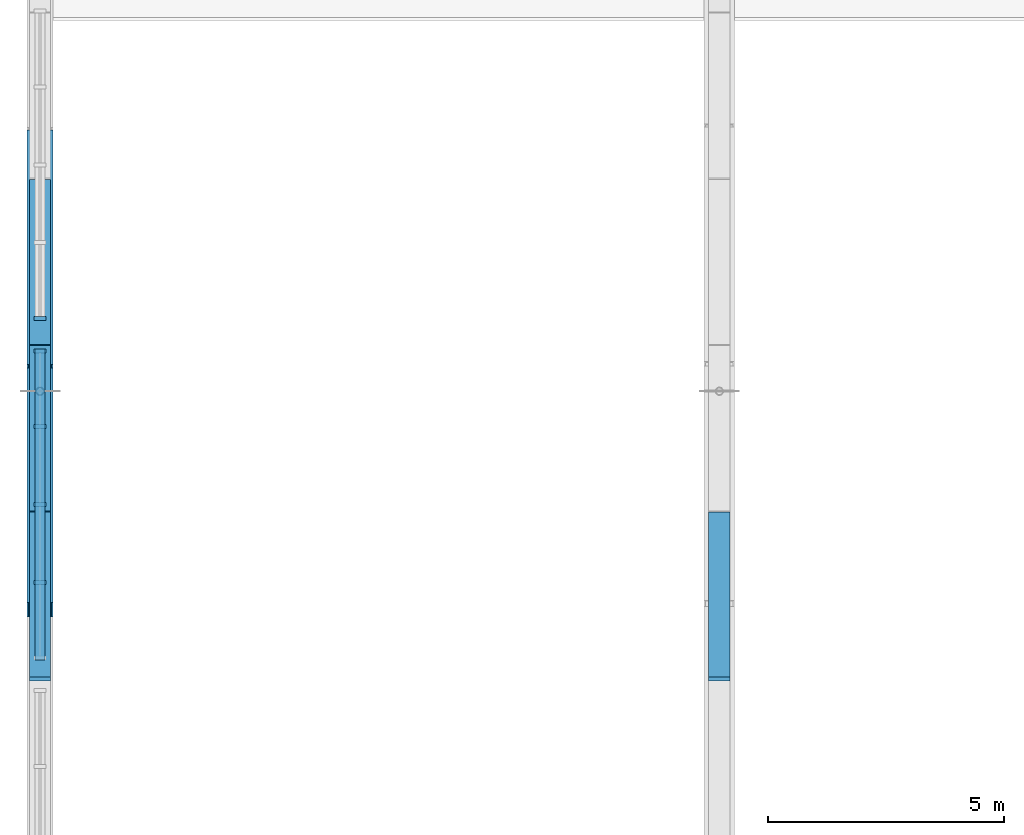
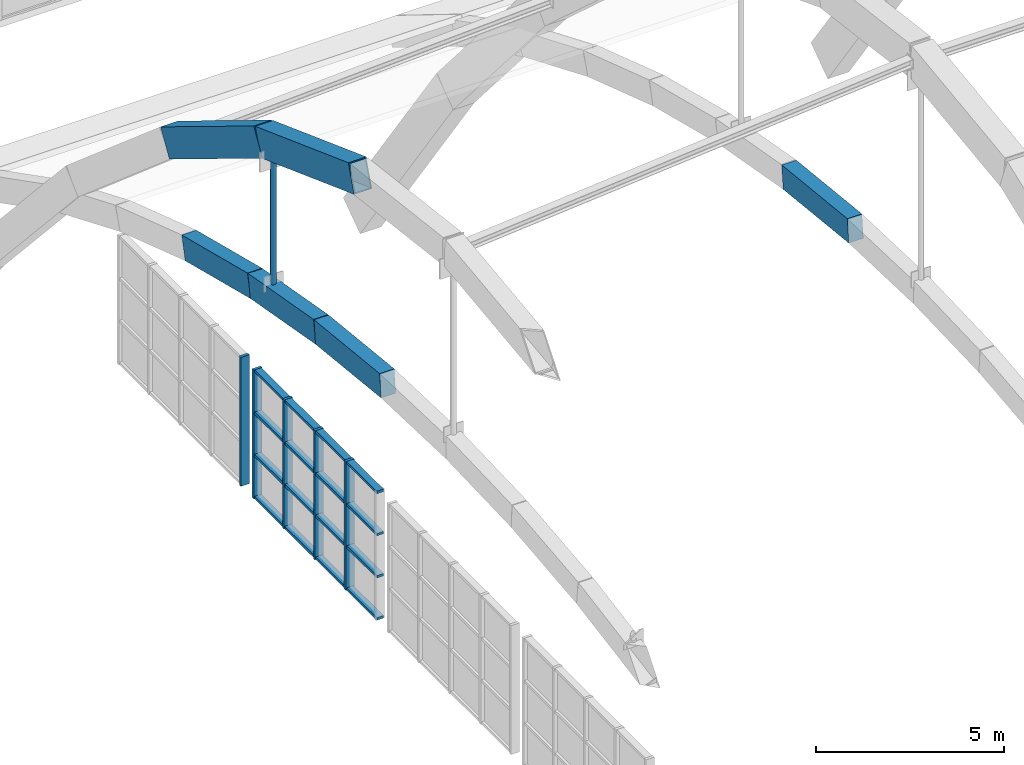
# One storey, part 11 of 64: 12 members, 4 beams, 2 elements without a shape of their own.
"""IFC4 building model written with IfcOpenShell, lengths in metres."""

import ifcopenshell
import ifcopenshell.guid

model = None  # the IFC model being written
_history = None  # IfcOwnerHistory: only IFC2X3 demands one
_inside = {}  # id of a spatial element -> (the spatial element, [elements in it])
_under = {}  # id of a project, library or spatial element -> (it, [spatial elements below it])
_declared = {}  # id of a project -> (the project, [libraries it declares])
_typed = {}  # id of a type object -> (the type object, [elements of that type])
_made_of = {}  # id of a material, layer set ... -> (it, [elements and type objects made of it])


def new_model(schema):
    """Start an empty IFC model of exactly this schema.

    Asked for "IFC4X3", IfcOpenShell would pick the latest addendum, in which some entities
    have other attributes; the version numbers below select the first issue.
    IFC2X3 requires an IfcOwnerHistory on every rooted entity: one is made here for all.
    """
    global model, _history
    if schema == "IFC4X3":
        model = ifcopenshell.file(schema_version=(4, 3, 0, 0))
    else:
        model = ifcopenshell.file(schema=schema)
    _inside.clear()
    _under.clear()
    _declared.clear()
    _typed.clear()
    _made_of.clear()
    _history = None
    if model.schema == "IFC2X3":
        org = make("IfcOrganization", Name="unknown")
        user = make(
            "IfcPersonAndOrganization",
            ThePerson=make("IfcPerson", FamilyName="unknown"),
            TheOrganization=org,
        )
        app = make(
            "IfcApplication",
            ApplicationDeveloper=org,
            Version="unknown",
            ApplicationFullName="unknown",
            ApplicationIdentifier="unknown",
        )
        _history = make(
            "IfcOwnerHistory",
            OwningUser=user,
            OwningApplication=app,
            ChangeAction="ADDED",
            CreationDate=0,
        )
    return model


def make(cls, **values):
    """One entity of the class cls with the attributes given. An attribute that is None is left unset."""
    return model.create_entity(
        cls, **{name: value for name, value in values.items() if value is not None}
    )


def rooted(cls, **values):
    """An entity with a GlobalId (a new one), such as an element, a storey or a relation."""
    return make(cls, GlobalId=ifcopenshell.guid.new(), OwnerHistory=_history, **values)


def si_unit(unit_type, name, prefix=None):
    """IfcSIUnit, for example si_unit("LENGTHUNIT", "METRE", prefix="MILLI")."""
    return make("IfcSIUnit", UnitType=unit_type, Prefix=prefix, Name=name)


def assignment(units):
    """IfcUnitAssignment: the units of a project."""
    return None if units is None else make("IfcUnitAssignment", Units=units)


def point(xyz):
    """IfcCartesianPoint."""
    return None if xyz is None else make("IfcCartesianPoint", Coordinates=xyz)


def direction(xyz):
    """IfcDirection."""
    return None if xyz is None else make("IfcDirection", DirectionRatios=xyz)


def frame(location, z_axis=None, x_axis=None):
    """IfcAxis2Placement3D, a coordinate frame: its origin and axes. An axis left out is left unset."""
    return make(
        "IfcAxis2Placement3D",
        Location=point(location),
        Axis=direction(z_axis),
        RefDirection=direction(x_axis),
    )


def frame_2d(location, x_axis=None):
    """IfcAxis2Placement2D, a coordinate frame in the plane: its origin and x axis."""
    return make(
        "IfcAxis2Placement2D", Location=point(location), RefDirection=direction(x_axis)
    )


def origin():
    """The frame at (0, 0, 0) with its axes left unset."""
    return frame((0.0, 0.0, 0.0))


def origin_2d():
    """The frame at (0, 0) in the plane with its x axis left unset."""
    return frame_2d((0.0, 0.0))


def place(relative_to, where):
    """IfcLocalPlacement: puts the frame where relative to a parent placement (None: the world)."""
    return make(
        "IfcLocalPlacement", PlacementRelTo=relative_to, RelativePlacement=where
    )


def context(
    kind, dimensions, precision=None, world=None, true_north=None, identifier=None
):
    """IfcGeometricRepresentationContext, for example the 3D "Model" context."""
    return make(
        "IfcGeometricRepresentationContext",
        ContextIdentifier=identifier,
        ContextType=kind,
        CoordinateSpaceDimension=dimensions,
        Precision=precision,
        WorldCoordinateSystem=world,
        TrueNorth=true_north,
    )


def subcontext(parent, identifier, kind, view, scale=None):
    """IfcGeometricRepresentationSubContext, for example "Body" below "Model"."""
    return make(
        "IfcGeometricRepresentationSubContext",
        ContextIdentifier=identifier,
        ContextType=kind,
        ParentContext=parent,
        TargetScale=scale,
        TargetView=view,
    )


def project(units=None, contexts=None):
    """IfcProject with its units and contexts."""
    return rooted(
        "IfcProject",
        Name="project",
        RepresentationContexts=contexts,
        UnitsInContext=assignment(units),
    )


def spatial(cls, under=None, at=None, **own):
    """A site, building, storey or space (cls), placed at a placement, below another one or the project."""
    s = rooted(cls, ObjectPlacement=at, **own)
    if under is not None:
        _under.setdefault(under.id(), (under, []))[1].append(s)
    return s


def profile(cls, at=None, kind="AREA", **sizes):
    """A parametric profile (cls). Its sizes go by their IFC names, for example OverallWidth=200.0."""
    return make(cls, ProfileType=kind, Position=at, **sizes)


def rectangle(**sizes):
    """IfcRectangleProfileDef."""
    return profile("IfcRectangleProfileDef", **sizes)


def hollow_rectangle(**sizes):
    """IfcRectangleHollowProfileDef."""
    return profile("IfcRectangleHollowProfileDef", **sizes)


def hollow_circle(**sizes):
    """IfcCircleHollowProfileDef."""
    return profile("IfcCircleHollowProfileDef", **sizes)


def extrude(swept, where, along, depth):
    """IfcExtrudedAreaSolid: the profile swept, set in the frame where, extruded along a direction by depth."""
    return make(
        "IfcExtrudedAreaSolid",
        SweptArea=swept,
        Position=where,
        ExtrudedDirection=direction(along),
        Depth=depth,
    )


def shape(context_of_items, identifier, shape_type, items):
    """IfcShapeRepresentation: the items that make up one representation, for example the "Body"."""
    return make(
        "IfcShapeRepresentation",
        ContextOfItems=context_of_items,
        RepresentationIdentifier=identifier,
        RepresentationType=shape_type,
        Items=items,
    )


def material(Name=None, Category=None):
    """IfcMaterial."""
    return make("IfcMaterial", Name=Name, Category=Category)


def material_profile(
    of_material, cross_section, Name=None, Category=None, Priority=None
):
    """IfcMaterialProfile: a cross section and its material."""
    return make(
        "IfcMaterialProfile",
        Name=Name,
        Material=of_material,
        Profile=cross_section,
        Priority=Priority,
        Category=Category,
    )


def profile_set(profiles, Name=None, composite=None):
    """IfcMaterialProfileSet."""
    return make(
        "IfcMaterialProfileSet",
        Name=Name,
        MaterialProfiles=profiles,
        CompositeProfile=composite,
    )


def made_of(thing, what):
    """Note that an element or type object is made of a material, layer set ...; save() writes the relation."""
    if what is not None:
        _made_of.setdefault(what.id(), (what, []))[1].append(thing)
    return thing


def type_object(cls, material=None, **own):
    """A type object (cls), such as IfcWallType, which elements share."""
    return made_of(rooted(cls, **own), material)


def element(
    cls,
    number,
    at=None,
    inside=None,
    cuts=None,
    type_object=None,
    material=None,
    context=None,
    identifier="Body",
    shape_type=None,
    held_by="IfcProductDefinitionShape",
    body=None,
    shapes=None,
    **own,
):
    """One element of the class cls, such as IfcWall. Its Tag is "e" and its number.

    at: its placement. inside: the storey or other place that contains it. cuts: it is an
    opening in that element (IfcRelVoidsElement). A single representation is given by context,
    identifier, shape_type and body (its items); several are given by shapes. held_by: the class
    of the entity that holds the representations. save() writes the other relations.
    """
    e = rooted(cls, Tag="e%d" % number, ObjectPlacement=at, **own)
    if body is not None:
        shapes = [shape(context, identifier, shape_type, body)]
    if shapes is not None:
        e.Representation = make(held_by, Representations=shapes)
    if inside is not None:
        _inside.setdefault(inside.id(), (inside, []))[1].append(e)
    if cuts is not None:
        rooted(
            "IfcRelVoidsElement", RelatingBuildingElement=cuts, RelatedOpeningElement=e
        )
    if type_object is not None:
        _typed.setdefault(type_object.id(), (type_object, []))[1].append(e)
    return made_of(e, material)


def aggregate(whole, parts):
    """IfcRelAggregates: a whole, such as a stair, and the parts it consists of."""
    return rooted("IfcRelAggregates", RelatingObject=whole, RelatedObjects=parts)


def save(model, path):
    """Write the relations noted so far, then the file.

    IfcRelAggregates (storeys below a building ...), IfcRelContainedInSpatialStructure (elements
    in a storey), IfcRelDefinesByType, IfcRelAssociatesMaterial and IfcRelDeclares: one each for
    every whole, place, type object, material and project.
    """
    for whole, parts in _under.values():
        aggregate(whole, parts)
    for where, things in _inside.values():
        rooted(
            "IfcRelContainedInSpatialStructure",
            RelatedElements=things,
            RelatingStructure=where,
        )
    for kind, things in _typed.values():
        rooted("IfcRelDefinesByType", RelatedObjects=things, RelatingType=kind)
    for what, things in _made_of.values():
        rooted("IfcRelAssociatesMaterial", RelatedObjects=things, RelatingMaterial=what)
    for by, libraries in _declared.values():
        rooted("IfcRelDeclares", RelatingContext=by, RelatedDefinitions=libraries)
    model.write(path)


model = new_model("IFC4")

# Units and contexts
model_context = context("Model", 3, precision=1e-05, world=origin(), true_north=direction((0.0, 1.0)))
body_context = subcontext(model_context, "Body", "Model", "MODEL_VIEW")
ifc_project = project(units=[si_unit("LENGTHUNIT", "METRE"), si_unit("AREAUNIT", "SQUARE_METRE"), si_unit("VOLUMEUNIT", "CUBIC_METRE"), si_unit("PLANEANGLEUNIT", "RADIAN"), si_unit("MASSUNIT", "GRAM", prefix="KILO")], contexts=[model_context])

# Site, building, storey
site_placement = place(None, origin())
site = spatial("IfcSite", under=ifc_project, at=site_placement, CompositionType="ELEMENT")
building_placement = place(site_placement, origin())
building = spatial("IfcBuilding", under=site, at=building_placement, Name="Leyfeld Transit Interchange", CompositionType="ELEMENT")
storey_placement = place(building_placement, frame((0.0, 0.0, 9.60009765625)))
storey = spatial("IfcBuildingStorey", under=building, at=storey_placement, Name="L02", CompositionType="ELEMENT", Elevation=9.60009765625)

# Beams
ifc_material_1 = material(Name="Concrete C40/50", Category="concrete")
ifc_material_profile_1 = material_profile(ifc_material_1, rectangle(XDim=0.449951171875, YDim=0.75, at=origin_2d()), Name="RC 750x450 RIB")
ifc_profile_set_1 = profile_set([ifc_material_profile_1], Name="Concrete C40/50")
beam_type = type_object("IfcBeamType", Name="BM-RIB-750x450", PredefinedType="USERDEFINED", material=ifc_profile_set_1)
beam_1_placement = place(storey_placement, frame((0.0, 35.89990234375, 7.317626953125), z_axis=(0.0, 0.99446241795, -0.105092812723), x_axis=(-1.0, 0.0, 0.0)))
element("IfcBeam", 1, at=beam_1_placement, inside=storey, type_object=beam_type, Name="Concourse Vault Rib A1 Seg 10", ObjectType="ARCH_RIB", PredefinedType="USERDEFINED", context=body_context, shape_type="SweptSolid", body=[
    extrude(rectangle(XDim=0.449951171875, YDim=0.75, at=origin_2d()), origin(), (0.0, 0.0, 1.0), 3.51953125),
])
beam_2_placement = place(storey_placement, frame((0.0, 39.39990234375, 6.94775390625), z_axis=(0.0, 0.984546197367, -0.175125056033), x_axis=(-1.0, 0.0, 0.0)))
element("IfcBeam", 2, at=beam_2_placement, inside=storey, type_object=beam_type, Name="Concourse Vault Rib A1 Seg 11", ObjectType="ARCH_RIB", PredefinedType="USERDEFINED", context=body_context, shape_type="SweptSolid", body=[
    extrude(rectangle(XDim=0.449951171875, YDim=0.75, at=origin_2d()), origin(), (0.0, 0.0, 1.0), 3.554931640625),
])
beam_3_placement = place(storey_placement, frame((0.0, 42.89990234375, 6.3251953125), z_axis=(0.0, 0.969486598247, -0.245144316312), x_axis=(-1.0, 0.0, 0.0)))
element("IfcBeam", 3, at=beam_3_placement, inside=storey, type_object=beam_type, Name="Concourse Vault Rib A1 Seg 12", ObjectType="ARCH_RIB", PredefinedType="USERDEFINED", context=body_context, shape_type="SweptSolid", body=[
    extrude(rectangle(XDim=0.449951171875, YDim=0.75, at=origin_2d()), origin(), (0.0, 0.0, 1.0), 3.610107421875),
])
beam_4_placement = place(storey_placement, frame((14.39990234375, 35.89990234375, 7.317626953125), z_axis=(0.0, 0.99446241795, -0.105092812723), x_axis=(-1.0, 0.0, 0.0)))
element("IfcBeam", 4, at=beam_4_placement, inside=storey, type_object=beam_type, Name="Concourse Vault Rib A2 Seg 10", ObjectType="ARCH_RIB", PredefinedType="USERDEFINED", context=body_context, shape_type="SweptSolid", body=[
    extrude(rectangle(XDim=0.449951171875, YDim=0.75, at=origin_2d()), origin(), (0.0, 0.0, 1.0), 3.51953125),
])

# Curtain wall, members
ifc_material_2 = material(Name="Anodised aluminium EN AW-6060 T66", Category="aluminium")
curtain_wall_type = type_object("IfcCurtainWallType", Name="CW-SYS-GAB-7200", PredefinedType="NOTDEFINED", material=ifc_material_2)
curtain_wall_1_placement = place(storey_placement, origin())
curtain_wall_1 = element("IfcCurtainWall", 5, at=curtain_wall_1_placement, inside=storey, type_object=curtain_wall_type, Name="Curtain Wall CW-L02-GABW-04", PredefinedType="NOTDEFINED")
ifc_material_profile_2 = material_profile(ifc_material_2, rectangle(XDim=0.0849609375, YDim=0.260009765625, at=origin_2d()), Name="CW-M 85x260")
ifc_profile_set_2 = profile_set([ifc_material_profile_2], Name="Anodised aluminium EN AW-6060 T66")
member_type_1 = type_object("IfcMemberType", Name="CW-MUL-220x80", PredefinedType="MULLION", material=ifc_profile_set_2)
member_1_placement = place(storey_placement, frame((0.0, 37.949951171875, -0.60009765625), z_axis=(0.0, 0.0, 1.0), x_axis=(0.0, 1.0, 0.0)))
member_1 = element("IfcMember", 6, at=member_1_placement, type_object=member_type_1, Name="Curtain Mullion CW-L02-GABW-04-M02", PredefinedType="MULLION", context=body_context, shape_type="SweptSolid", body=[
    extrude(rectangle(XDim=0.0849609375, YDim=0.260009765625, at=origin_2d()), origin(), (0.0, 0.0, 1.0), 4.199951171875),
])
member_2_placement = place(storey_placement, frame((0.0, 39.60009765625, -0.60009765625), z_axis=(0.0, 0.0, 1.0), x_axis=(0.0, 1.0, 0.0)))
member_2 = element("IfcMember", 7, at=member_2_placement, type_object=member_type_1, Name="Curtain Mullion CW-L02-GABW-04-M03", PredefinedType="MULLION", context=body_context, shape_type="SweptSolid", body=[
    extrude(rectangle(XDim=0.0849609375, YDim=0.260009765625, at=origin_2d()), origin(), (0.0, 0.0, 1.0), 4.199951171875),
])
member_3_placement = place(storey_placement, frame((0.0, 41.25, -0.60009765625), z_axis=(0.0, 0.0, 1.0), x_axis=(0.0, 1.0, 0.0)))
member_3 = element("IfcMember", 8, at=member_3_placement, type_object=member_type_1, Name="Curtain Mullion CW-L02-GABW-04-M04", PredefinedType="MULLION", context=body_context, shape_type="SweptSolid", body=[
    extrude(rectangle(XDim=0.0849609375, YDim=0.260009765625, at=origin_2d()), origin(), (0.0, 0.0, 1.0), 4.199951171875),
])
member_4_placement = place(storey_placement, frame((0.0, 42.857421875, -0.60009765625), z_axis=(0.0, 0.0, 1.0), x_axis=(0.0, 1.0, 0.0)))
member_4 = element("IfcMember", 9, at=member_4_placement, type_object=member_type_1, Name="Curtain Mullion CW-L02-GABW-04-M05", PredefinedType="MULLION", context=body_context, shape_type="SweptSolid", body=[
    extrude(rectangle(XDim=0.0849609375, YDim=0.260009765625, at=origin_2d()), origin(), (0.0, 0.0, 1.0), 4.199951171875),
])

# Curtain wall, member
curtain_wall_2_placement = place(storey_placement, origin())
curtain_wall_2 = element("IfcCurtainWall", 10, at=curtain_wall_2_placement, inside=storey, type_object=curtain_wall_type, Name="Curtain Wall CW-L02-GABW-05", PredefinedType="NOTDEFINED")
member_5_placement = place(storey_placement, frame((0.0, 43.54248046875, -0.60009765625), z_axis=(0.0, 0.0, 1.0), x_axis=(0.0, 1.0, 0.0)))
member_5 = element("IfcMember", 11, at=member_5_placement, type_object=member_type_1, Name="Curtain Mullion CW-L02-GABW-05-M01", PredefinedType="MULLION", context=body_context, shape_type="SweptSolid", body=[
    extrude(rectangle(XDim=0.0849609375, YDim=0.260009765625, at=origin_2d()), origin(), (0.0, 0.0, 1.0), 4.199951171875),
])
aggregate(curtain_wall_2, [member_5])

# Member
ifc_material_profile_3 = material_profile(ifc_material_2, rectangle(XDim=0.2099609375, YDim=0.0849609375, at=origin_2d()), Name="CW-TRN-200x80")
ifc_profile_set_3 = profile_set([ifc_material_profile_3], Name="Anodised aluminium EN AW-6060 T66")
member_type_2 = type_object("IfcMemberType", Name="CW-TRN-200x80", PredefinedType="USERDEFINED", material=ifc_profile_set_3)
member_6_placement = place(storey_placement, frame((0.0, 36.300048828125, -0.5576171875), z_axis=(0.0, 1.0, 0.0), x_axis=(-1.0, 0.0, 0.0)))
member_6 = element("IfcMember", 12, at=member_6_placement, type_object=member_type_2, Name="Curtain Transom CW-L02-GABW-04-T01", ObjectType="TRANSOM", PredefinedType="USERDEFINED", context=body_context, shape_type="SweptSolid", body=[
    extrude(rectangle(XDim=0.2099609375, YDim=0.0849609375, at=origin_2d()), origin(), (0.0, 0.0, 1.0), 6.599853515625),
])

member_7_placement = place(storey_placement, frame((0.0, 36.300048828125, 0.814208984375), z_axis=(0.0, 1.0, 0.0), x_axis=(-1.0, 0.0, 0.0)))
member_7 = element("IfcMember", 13, at=member_7_placement, type_object=member_type_2, Name="Curtain Transom CW-L02-GABW-04-T02", ObjectType="TRANSOM", PredefinedType="USERDEFINED", context=body_context, shape_type="SweptSolid", body=[
    extrude(rectangle(XDim=0.2099609375, YDim=0.0849609375, at=origin_2d()), origin(), (0.0, 0.0, 1.0), 6.599853515625),
])

member_8_placement = place(storey_placement, frame((0.0, 36.300048828125, 2.185791015625), z_axis=(0.0, 1.0, 0.0), x_axis=(-1.0, 0.0, 0.0)))
member_8 = element("IfcMember", 14, at=member_8_placement, type_object=member_type_2, Name="Curtain Transom CW-L02-GABW-04-T03", ObjectType="TRANSOM", PredefinedType="USERDEFINED", context=body_context, shape_type="SweptSolid", body=[
    extrude(rectangle(XDim=0.2099609375, YDim=0.0849609375, at=origin_2d()), origin(), (0.0, 0.0, 1.0), 6.599853515625),
])

member_9_placement = place(storey_placement, frame((0.0, 36.300048828125, 3.557373046875), z_axis=(0.0, 1.0, 0.0), x_axis=(-1.0, 0.0, 0.0)))
member_9 = element("IfcMember", 15, at=member_9_placement, type_object=member_type_2, Name="Curtain Transom CW-L02-GABW-04-T04", ObjectType="TRANSOM", PredefinedType="USERDEFINED", context=body_context, shape_type="SweptSolid", body=[
    extrude(rectangle(XDim=0.2099609375, YDim=0.0849609375, at=origin_2d()), origin(), (0.0, 0.0, 1.0), 6.599853515625),
])

aggregate(curtain_wall_1, [member_1, member_2, member_3, member_4, member_6, member_7, member_8, member_9])

# Members
ifc_material_3 = material(Name="Steel S355J2 - Ochre Arch", Category="steel")
ifc_material_profile_4 = material_profile(ifc_material_3, hollow_rectangle(XDim=0.550048828125, YDim=0.89990234375, WallThickness=0.031982421875, at=origin_2d()), Name="RHS 900x550x32")
ifc_profile_set_4 = profile_set([ifc_material_profile_4], Name="Steel S355J2 - Ochre Arch")
member_type_3 = type_object("IfcMemberType", Name="MEM-ARCH-900", PredefinedType="USERDEFINED", material=ifc_profile_set_4)
member_10_placement = place(storey_placement, frame((0.0, 37.36669921875, 13.191650390625), z_axis=(0.0, 0.938638972775, -0.344901259475), x_axis=(-1.0, 0.0, 0.0)))
element("IfcMember", 16, at=member_10_placement, inside=storey, type_object=member_type_3, Name="Primary Steel Arch GP-W Seg 8", ObjectType="ARCH_SEGMENT", PredefinedType="USERDEFINED", context=body_context, shape_type="SweptSolid", body=[
    extrude(hollow_rectangle(XDim=0.550048828125, YDim=0.89990234375, WallThickness=0.031982421875, at=origin_2d()), origin(), (0.0, 0.0, 1.0), 5.291259765625),
])
member_11_placement = place(storey_placement, frame((0.0, 42.333251953125, 11.36669921875), z_axis=(0.0, 0.852786153257, -0.522260257738), x_axis=(-1.0, 0.0, 0.0)))
element("IfcMember", 17, at=member_11_placement, inside=storey, type_object=member_type_3, Name="Primary Steel Arch GP-W Seg 9", ObjectType="ARCH_SEGMENT", PredefinedType="USERDEFINED", context=body_context, shape_type="SweptSolid", body=[
    extrude(hollow_rectangle(XDim=0.550048828125, YDim=0.89990234375, WallThickness=0.031982421875, at=origin_2d()), origin(), (0.0, 0.0, 1.0), 5.82421875),
])
ifc_material_4 = material(Name="Steel S355J2", Category="steel")
ifc_material_profile_5 = material_profile(ifc_material_4, hollow_circle(Radius=0.084228515625, WallThickness=0.008056640625, at=origin_2d()), Name="CHS 168.3x8")
ifc_profile_set_5 = profile_set([ifc_material_profile_5], Name="Steel S355J2")
member_type_4 = type_object("IfcMemberType", Name="MEM-HGR-168", PredefinedType="USERDEFINED", material=ifc_profile_set_5)
member_12_placement = place(storey_placement, frame((0.0, 42.0, 6.885009765625), z_axis=(0.0, 0.0, 1.0), x_axis=(1.0, 0.0, 0.0)))
element("IfcMember", 18, at=member_12_placement, inside=storey, type_object=member_type_4, Name="Arch Tension Hanger GP-W H5", ObjectType="SUSPENDER", PredefinedType="USERDEFINED", context=body_context, shape_type="SweptSolid", body=[
    extrude(hollow_circle(Radius=0.084228515625, WallThickness=0.008056640625, at=origin_2d()), origin(), (0.0, 0.0, 1.0), 4.12451171875),
])

save(model, "model.ifc")
